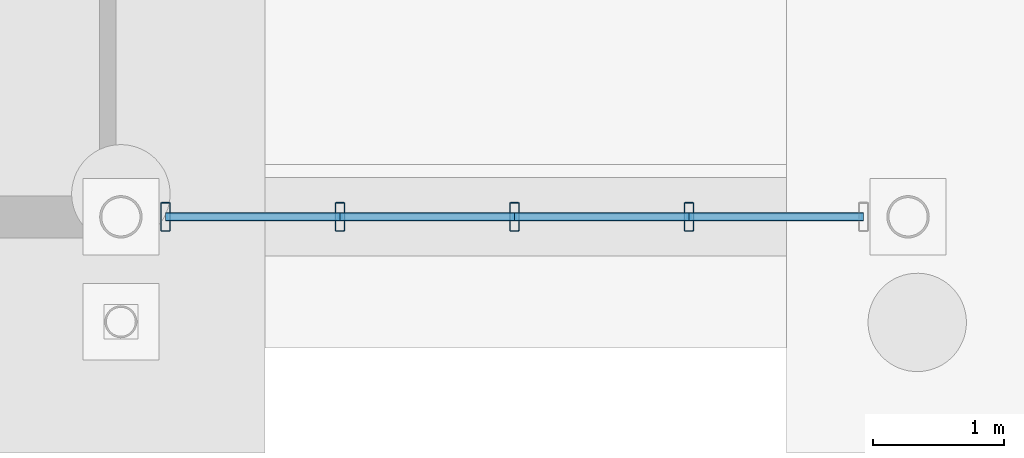
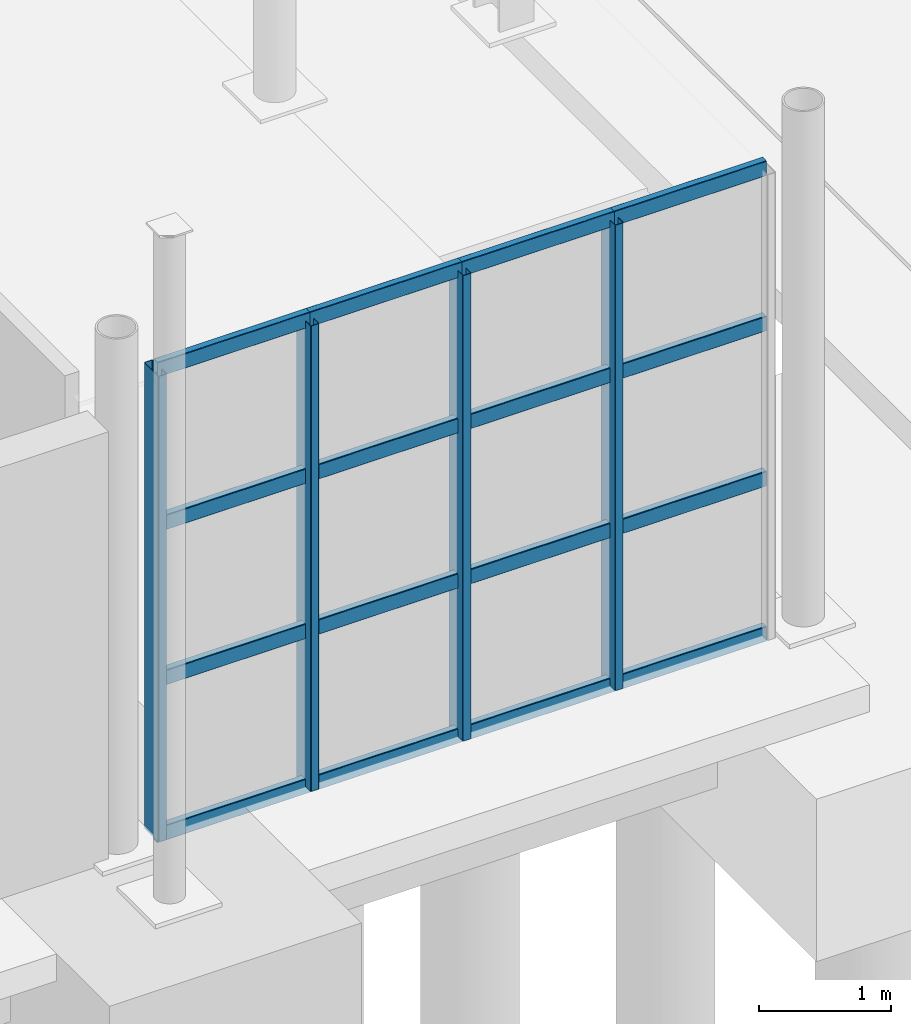
# One storey, part 32 of 101: 20 members, 1 element without a shape of its own.
"""IFC4 building model written with IfcOpenShell, lengths in metres."""

from ifc_helpers import new_model, si_unit, derived_unit, direction, frame, origin, origin_2d, place, context, subcontext, project, spatial, hollow_rectangle, extrude, material, material_profile, profile_set, type_object, element, aggregate, save


model = new_model("IFC4")

# Units and contexts
model_context = context("Model", 3, precision=1e-05, world=origin(), true_north=direction((0.0, 1.0)))
body_context = subcontext(model_context, "Body", "Model", "MODEL_VIEW")
ifc_project = project(units=[si_unit("LENGTHUNIT", "METRE"), si_unit("AREAUNIT", "SQUARE_METRE"), si_unit("VOLUMEUNIT", "CUBIC_METRE"), si_unit("PLANEANGLEUNIT", "RADIAN"), si_unit("MASSUNIT", "GRAM", prefix="KILO"), derived_unit("THERMALTRANSMITTANCEUNIT", [(si_unit("POWERUNIT", "WATT"), 1), (si_unit("LENGTHUNIT", "METRE"), -2), (si_unit("THERMODYNAMICTEMPERATUREUNIT", "KELVIN"), -1)])], contexts=[model_context])

# Site, building, storey
site_placement = place(None, origin())
site = spatial("IfcSite", under=ifc_project, at=site_placement, CompositionType="ELEMENT")
building_placement = place(site_placement, origin())
building = spatial("IfcBuilding", under=site, at=building_placement, Name="Keldorne Ridge Multi-Sports Centre", CompositionType="ELEMENT")
storey_placement = place(building_placement, origin())
storey = spatial("IfcBuildingStorey", under=building, at=storey_placement, Name="L00", CompositionType="ELEMENT", Elevation=0.0)

# Curtain wall, members
ifc_material = material(Name="Anodized aluminium", Category="aluminium")
curtain_wall_type = type_object("IfcCurtainWallType", Name="CW-CW-04", PredefinedType="NOTDEFINED", material=ifc_material)
curtain_wall_placement = place(storey_placement, origin())
curtain_wall = element("IfcCurtainWall", 1, at=curtain_wall_placement, inside=storey, type_object=curtain_wall_type, Name="Public Passage S foyer glazing 076", PredefinedType="NOTDEFINED")
ifc_material_profile_1 = material_profile(ifc_material, hollow_rectangle(XDim=0.074951171875, YDim=0.219970703125, WallThickness=0.0048828125, InnerFilletRadius=0.0048828125, OuterFilletRadius=0.010009765625, at=origin_2d()), Name="ALU MULLION 220x75x5")
ifc_profile_set_1 = profile_set([ifc_material_profile_1], Name="Anodized aluminium")
member_type_1 = type_object("IfcMemberType", Name="MEM-ML-02", PredefinedType="MULLION", material=ifc_profile_set_1)
member_1_placement = place(storey_placement, frame((96.340087890625, 6.0, 0.0), z_axis=(0.0, 0.0, 1.0), x_axis=(1.0, 0.0, 0.0)))
member_1 = element("IfcMember", 2, at=member_1_placement, type_object=member_type_1, Name="CW-076 vertical mullion 1", PredefinedType="MULLION", context=body_context, shape_type="SweptSolid", body=[
    extrude(hollow_rectangle(XDim=0.074951171875, YDim=0.219970703125, WallThickness=0.0048828125, InnerFilletRadius=0.0048828125, OuterFilletRadius=0.010009765625, at=origin_2d()), origin(), (0.0, 0.0, 1.0), 4.300048828125),
])
member_2_placement = place(storey_placement, frame((97.669921875, 6.0, 0.0), z_axis=(0.0, 0.0, 1.0), x_axis=(1.0, 0.0, 0.0)))
member_2 = element("IfcMember", 3, at=member_2_placement, type_object=member_type_1, Name="CW-076 vertical mullion 2", PredefinedType="MULLION", context=body_context, shape_type="SweptSolid", body=[
    extrude(hollow_rectangle(XDim=0.074951171875, YDim=0.219970703125, WallThickness=0.0048828125, InnerFilletRadius=0.0048828125, OuterFilletRadius=0.010009765625, at=origin_2d()), origin(), (0.0, 0.0, 1.0), 4.300048828125),
])
member_3_placement = place(storey_placement, frame((99.0, 6.0, 0.0), z_axis=(0.0, 0.0, 1.0), x_axis=(1.0, 0.0, 0.0)))
member_3 = element("IfcMember", 4, at=member_3_placement, type_object=member_type_1, Name="CW-076 vertical mullion 3", PredefinedType="MULLION", context=body_context, shape_type="SweptSolid", body=[
    extrude(hollow_rectangle(XDim=0.074951171875, YDim=0.219970703125, WallThickness=0.0048828125, InnerFilletRadius=0.0048828125, OuterFilletRadius=0.010009765625, at=origin_2d()), origin(), (0.0, 0.0, 1.0), 4.300048828125),
])
member_4_placement = place(storey_placement, frame((100.330078125, 6.0, 0.0), z_axis=(0.0, 0.0, 1.0), x_axis=(1.0, 0.0, 0.0)))
member_4 = element("IfcMember", 5, at=member_4_placement, type_object=member_type_1, Name="CW-076 vertical mullion 4", PredefinedType="MULLION", context=body_context, shape_type="SweptSolid", body=[
    extrude(hollow_rectangle(XDim=0.074951171875, YDim=0.219970703125, WallThickness=0.0048828125, InnerFilletRadius=0.0048828125, OuterFilletRadius=0.010009765625, at=origin_2d()), origin(), (0.0, 0.0, 1.0), 4.300048828125),
])
ifc_material_profile_2 = material_profile(ifc_material, hollow_rectangle(XDim=0.06494140625, YDim=0.139892578125, WallThickness=0.00439453125, InnerFilletRadius=0.00439453125, OuterFilletRadius=0.009033203125, at=origin_2d()), Name="ALU TRANSOM 140x65x4.5")
ifc_profile_set_2 = profile_set([ifc_material_profile_2], Name="Anodized aluminium")
member_type_2 = type_object("IfcMemberType", Name="MEM-TR-01", PredefinedType="USERDEFINED", material=ifc_profile_set_2)
member_5_placement = place(storey_placement, frame((96.340087890625, 6.0, 0.0), z_axis=(1.0, 0.0, 0.0), x_axis=(0.0, 1.0, 0.0)))
member_5 = element("IfcMember", 6, at=member_5_placement, type_object=member_type_2, Name="CW-076 transom 1.1", ObjectType="TRANSOM", PredefinedType="USERDEFINED", context=body_context, shape_type="SweptSolid", body=[
    extrude(hollow_rectangle(XDim=0.06494140625, YDim=0.139892578125, WallThickness=0.00439453125, InnerFilletRadius=0.00439453125, OuterFilletRadius=0.009033203125, at=origin_2d()), origin(), (0.0, 0.0, 1.0), 1.329833984375),
])
member_6_placement = place(storey_placement, frame((96.340087890625, 6.0, 1.433349609375), z_axis=(1.0, 0.0, 0.0), x_axis=(0.0, 1.0, 0.0)))
member_6 = element("IfcMember", 7, at=member_6_placement, type_object=member_type_2, Name="CW-076 transom 1.2", ObjectType="TRANSOM", PredefinedType="USERDEFINED", context=body_context, shape_type="SweptSolid", body=[
    extrude(hollow_rectangle(XDim=0.06494140625, YDim=0.139892578125, WallThickness=0.00439453125, InnerFilletRadius=0.00439453125, OuterFilletRadius=0.009033203125, at=origin_2d()), origin(), (0.0, 0.0, 1.0), 1.329833984375),
])
member_7_placement = place(storey_placement, frame((96.340087890625, 6.0, 2.86669921875), z_axis=(1.0, 0.0, 0.0), x_axis=(0.0, 1.0, 0.0)))
member_7 = element("IfcMember", 8, at=member_7_placement, type_object=member_type_2, Name="CW-076 transom 1.3", ObjectType="TRANSOM", PredefinedType="USERDEFINED", context=body_context, shape_type="SweptSolid", body=[
    extrude(hollow_rectangle(XDim=0.06494140625, YDim=0.139892578125, WallThickness=0.00439453125, InnerFilletRadius=0.00439453125, OuterFilletRadius=0.009033203125, at=origin_2d()), origin(), (0.0, 0.0, 1.0), 1.329833984375),
])
member_8_placement = place(storey_placement, frame((96.340087890625, 6.0, 4.300048828125), z_axis=(1.0, 0.0, 0.0), x_axis=(0.0, 1.0, 0.0)))
member_8 = element("IfcMember", 9, at=member_8_placement, type_object=member_type_2, Name="CW-076 transom 1.4", ObjectType="TRANSOM", PredefinedType="USERDEFINED", context=body_context, shape_type="SweptSolid", body=[
    extrude(hollow_rectangle(XDim=0.06494140625, YDim=0.139892578125, WallThickness=0.00439453125, InnerFilletRadius=0.00439453125, OuterFilletRadius=0.009033203125, at=origin_2d()), origin(), (0.0, 0.0, 1.0), 1.329833984375),
])
member_9_placement = place(storey_placement, frame((97.669921875, 6.0, 0.0), z_axis=(1.0, 0.0, 0.0), x_axis=(0.0, 1.0, 0.0)))
member_9 = element("IfcMember", 10, at=member_9_placement, type_object=member_type_2, Name="CW-076 transom 2.1", ObjectType="TRANSOM", PredefinedType="USERDEFINED", context=body_context, shape_type="SweptSolid", body=[
    extrude(hollow_rectangle(XDim=0.06494140625, YDim=0.139892578125, WallThickness=0.00439453125, InnerFilletRadius=0.00439453125, OuterFilletRadius=0.009033203125, at=origin_2d()), origin(), (0.0, 0.0, 1.0), 1.330078125),
])
member_10_placement = place(storey_placement, frame((97.669921875, 6.0, 1.433349609375), z_axis=(1.0, 0.0, 0.0), x_axis=(0.0, 1.0, 0.0)))
member_10 = element("IfcMember", 11, at=member_10_placement, type_object=member_type_2, Name="CW-076 transom 2.2", ObjectType="TRANSOM", PredefinedType="USERDEFINED", context=body_context, shape_type="SweptSolid", body=[
    extrude(hollow_rectangle(XDim=0.06494140625, YDim=0.139892578125, WallThickness=0.00439453125, InnerFilletRadius=0.00439453125, OuterFilletRadius=0.009033203125, at=origin_2d()), origin(), (0.0, 0.0, 1.0), 1.330078125),
])
member_11_placement = place(storey_placement, frame((97.669921875, 6.0, 2.86669921875), z_axis=(1.0, 0.0, 0.0), x_axis=(0.0, 1.0, 0.0)))
member_11 = element("IfcMember", 12, at=member_11_placement, type_object=member_type_2, Name="CW-076 transom 2.3", ObjectType="TRANSOM", PredefinedType="USERDEFINED", context=body_context, shape_type="SweptSolid", body=[
    extrude(hollow_rectangle(XDim=0.06494140625, YDim=0.139892578125, WallThickness=0.00439453125, InnerFilletRadius=0.00439453125, OuterFilletRadius=0.009033203125, at=origin_2d()), origin(), (0.0, 0.0, 1.0), 1.330078125),
])
member_12_placement = place(storey_placement, frame((97.669921875, 6.0, 4.300048828125), z_axis=(1.0, 0.0, 0.0), x_axis=(0.0, 1.0, 0.0)))
member_12 = element("IfcMember", 13, at=member_12_placement, type_object=member_type_2, Name="CW-076 transom 2.4", ObjectType="TRANSOM", PredefinedType="USERDEFINED", context=body_context, shape_type="SweptSolid", body=[
    extrude(hollow_rectangle(XDim=0.06494140625, YDim=0.139892578125, WallThickness=0.00439453125, InnerFilletRadius=0.00439453125, OuterFilletRadius=0.009033203125, at=origin_2d()), origin(), (0.0, 0.0, 1.0), 1.330078125),
])
member_13_placement = place(storey_placement, frame((99.0, 6.0, 0.0), z_axis=(1.0, 0.0, 0.0), x_axis=(0.0, 1.0, 0.0)))
member_13 = element("IfcMember", 14, at=member_13_placement, type_object=member_type_2, Name="CW-076 transom 3.1", ObjectType="TRANSOM", PredefinedType="USERDEFINED", context=body_context, shape_type="SweptSolid", body=[
    extrude(hollow_rectangle(XDim=0.06494140625, YDim=0.139892578125, WallThickness=0.00439453125, InnerFilletRadius=0.00439453125, OuterFilletRadius=0.009033203125, at=origin_2d()), origin(), (0.0, 0.0, 1.0), 1.330078125),
])
member_14_placement = place(storey_placement, frame((99.0, 6.0, 1.433349609375), z_axis=(1.0, 0.0, 0.0), x_axis=(0.0, 1.0, 0.0)))
member_14 = element("IfcMember", 15, at=member_14_placement, type_object=member_type_2, Name="CW-076 transom 3.2", ObjectType="TRANSOM", PredefinedType="USERDEFINED", context=body_context, shape_type="SweptSolid", body=[
    extrude(hollow_rectangle(XDim=0.06494140625, YDim=0.139892578125, WallThickness=0.00439453125, InnerFilletRadius=0.00439453125, OuterFilletRadius=0.009033203125, at=origin_2d()), origin(), (0.0, 0.0, 1.0), 1.330078125),
])
member_15_placement = place(storey_placement, frame((99.0, 6.0, 2.86669921875), z_axis=(1.0, 0.0, 0.0), x_axis=(0.0, 1.0, 0.0)))
member_15 = element("IfcMember", 16, at=member_15_placement, type_object=member_type_2, Name="CW-076 transom 3.3", ObjectType="TRANSOM", PredefinedType="USERDEFINED", context=body_context, shape_type="SweptSolid", body=[
    extrude(hollow_rectangle(XDim=0.06494140625, YDim=0.139892578125, WallThickness=0.00439453125, InnerFilletRadius=0.00439453125, OuterFilletRadius=0.009033203125, at=origin_2d()), origin(), (0.0, 0.0, 1.0), 1.330078125),
])
member_16_placement = place(storey_placement, frame((99.0, 6.0, 4.300048828125), z_axis=(1.0, 0.0, 0.0), x_axis=(0.0, 1.0, 0.0)))
member_16 = element("IfcMember", 17, at=member_16_placement, type_object=member_type_2, Name="CW-076 transom 3.4", ObjectType="TRANSOM", PredefinedType="USERDEFINED", context=body_context, shape_type="SweptSolid", body=[
    extrude(hollow_rectangle(XDim=0.06494140625, YDim=0.139892578125, WallThickness=0.00439453125, InnerFilletRadius=0.00439453125, OuterFilletRadius=0.009033203125, at=origin_2d()), origin(), (0.0, 0.0, 1.0), 1.330078125),
])
member_17_placement = place(storey_placement, frame((100.330078125, 6.0, 0.0), z_axis=(1.0, 0.0, 0.0), x_axis=(0.0, 1.0, 0.0)))
member_17 = element("IfcMember", 18, at=member_17_placement, type_object=member_type_2, Name="CW-076 transom 4.1", ObjectType="TRANSOM", PredefinedType="USERDEFINED", context=body_context, shape_type="SweptSolid", body=[
    extrude(hollow_rectangle(XDim=0.06494140625, YDim=0.139892578125, WallThickness=0.00439453125, InnerFilletRadius=0.00439453125, OuterFilletRadius=0.009033203125, at=origin_2d()), origin(), (0.0, 0.0, 1.0), 1.329833984375),
])
member_18_placement = place(storey_placement, frame((100.330078125, 6.0, 1.433349609375), z_axis=(1.0, 0.0, 0.0), x_axis=(0.0, 1.0, 0.0)))
member_18 = element("IfcMember", 19, at=member_18_placement, type_object=member_type_2, Name="CW-076 transom 4.2", ObjectType="TRANSOM", PredefinedType="USERDEFINED", context=body_context, shape_type="SweptSolid", body=[
    extrude(hollow_rectangle(XDim=0.06494140625, YDim=0.139892578125, WallThickness=0.00439453125, InnerFilletRadius=0.00439453125, OuterFilletRadius=0.009033203125, at=origin_2d()), origin(), (0.0, 0.0, 1.0), 1.329833984375),
])
member_19_placement = place(storey_placement, frame((100.330078125, 6.0, 2.86669921875), z_axis=(1.0, 0.0, 0.0), x_axis=(0.0, 1.0, 0.0)))
member_19 = element("IfcMember", 20, at=member_19_placement, type_object=member_type_2, Name="CW-076 transom 4.3", ObjectType="TRANSOM", PredefinedType="USERDEFINED", context=body_context, shape_type="SweptSolid", body=[
    extrude(hollow_rectangle(XDim=0.06494140625, YDim=0.139892578125, WallThickness=0.00439453125, InnerFilletRadius=0.00439453125, OuterFilletRadius=0.009033203125, at=origin_2d()), origin(), (0.0, 0.0, 1.0), 1.329833984375),
])
member_20_placement = place(storey_placement, frame((100.330078125, 6.0, 4.300048828125), z_axis=(1.0, 0.0, 0.0), x_axis=(0.0, 1.0, 0.0)))
member_20 = element("IfcMember", 21, at=member_20_placement, type_object=member_type_2, Name="CW-076 transom 4.4", ObjectType="TRANSOM", PredefinedType="USERDEFINED", context=body_context, shape_type="SweptSolid", body=[
    extrude(hollow_rectangle(XDim=0.06494140625, YDim=0.139892578125, WallThickness=0.00439453125, InnerFilletRadius=0.00439453125, OuterFilletRadius=0.009033203125, at=origin_2d()), origin(), (0.0, 0.0, 1.0), 1.329833984375),
])
aggregate(curtain_wall, [member_1, member_2, member_3, member_4, member_5, member_6, member_7, member_8, member_9, member_10, member_11, member_12, member_13, member_14, member_15, member_16, member_17, member_18, member_19, member_20])

save(model, "model.ifc")
